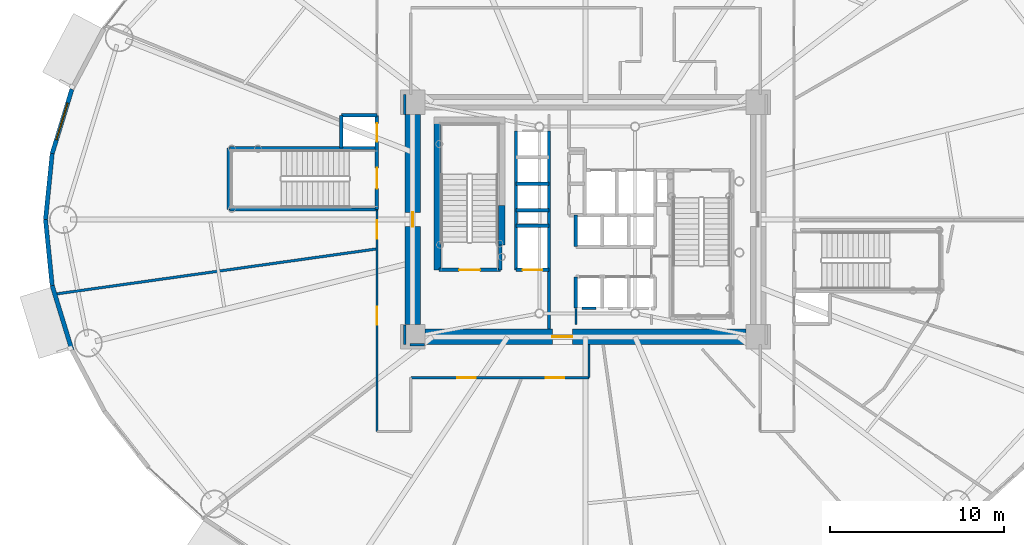
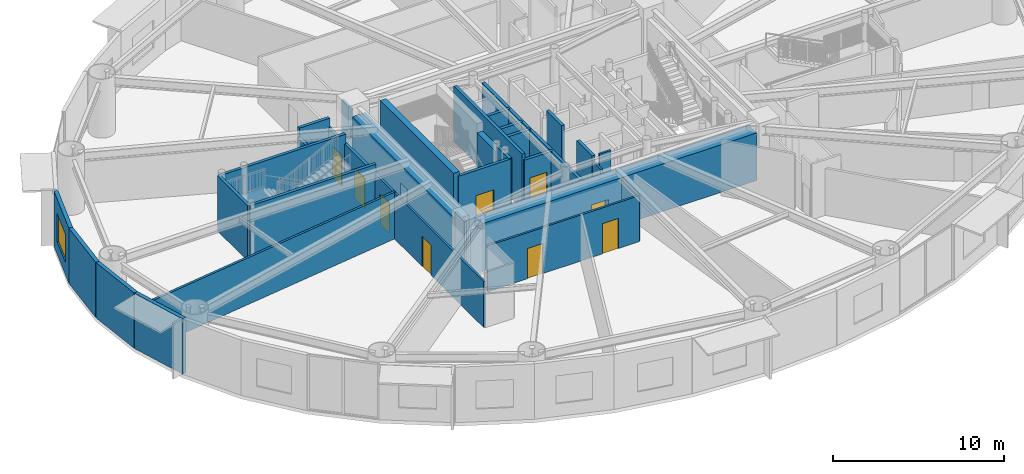
# One storey, part 13 of 29: 33 walls, 10 doors, 1 window, 11 openings.
"""IFC4 building model written with IfcOpenShell, lengths in metres."""

import ifcopenshell
import ifcopenshell.guid

model = None  # the IFC model being written
_history = None  # IfcOwnerHistory: only IFC2X3 demands one
_inside = {}  # id of a spatial element -> (the spatial element, [elements in it])
_under = {}  # id of a project, library or spatial element -> (it, [spatial elements below it])
_declared = {}  # id of a project -> (the project, [libraries it declares])
_typed = {}  # id of a type object -> (the type object, [elements of that type])
_made_of = {}  # id of a material, layer set ... -> (it, [elements and type objects made of it])


def new_model(schema):
    """Start an empty IFC model of exactly this schema.

    Asked for "IFC4X3", IfcOpenShell would pick the latest addendum, in which some entities
    have other attributes; the version numbers below select the first issue.
    IFC2X3 requires an IfcOwnerHistory on every rooted entity: one is made here for all.
    """
    global model, _history
    if schema == "IFC4X3":
        model = ifcopenshell.file(schema_version=(4, 3, 0, 0))
    else:
        model = ifcopenshell.file(schema=schema)
    _inside.clear()
    _under.clear()
    _declared.clear()
    _typed.clear()
    _made_of.clear()
    _history = None
    if model.schema == "IFC2X3":
        org = make("IfcOrganization", Name="unknown")
        user = make(
            "IfcPersonAndOrganization",
            ThePerson=make("IfcPerson", FamilyName="unknown"),
            TheOrganization=org,
        )
        app = make(
            "IfcApplication",
            ApplicationDeveloper=org,
            Version="unknown",
            ApplicationFullName="unknown",
            ApplicationIdentifier="unknown",
        )
        _history = make(
            "IfcOwnerHistory",
            OwningUser=user,
            OwningApplication=app,
            ChangeAction="ADDED",
            CreationDate=0,
        )
    return model


def make(cls, **values):
    """One entity of the class cls with the attributes given. An attribute that is None is left unset."""
    return model.create_entity(
        cls, **{name: value for name, value in values.items() if value is not None}
    )


def rooted(cls, **values):
    """An entity with a GlobalId (a new one), such as an element, a storey or a relation."""
    return make(cls, GlobalId=ifcopenshell.guid.new(), OwnerHistory=_history, **values)


def si_unit(unit_type, name, prefix=None):
    """IfcSIUnit, for example si_unit("LENGTHUNIT", "METRE", prefix="MILLI")."""
    return make("IfcSIUnit", UnitType=unit_type, Prefix=prefix, Name=name)


def assignment(units):
    """IfcUnitAssignment: the units of a project."""
    return None if units is None else make("IfcUnitAssignment", Units=units)


def point(xyz):
    """IfcCartesianPoint."""
    return None if xyz is None else make("IfcCartesianPoint", Coordinates=xyz)


def direction(xyz):
    """IfcDirection."""
    return None if xyz is None else make("IfcDirection", DirectionRatios=xyz)


def frame(location, z_axis=None, x_axis=None):
    """IfcAxis2Placement3D, a coordinate frame: its origin and axes. An axis left out is left unset."""
    return make(
        "IfcAxis2Placement3D",
        Location=point(location),
        Axis=direction(z_axis),
        RefDirection=direction(x_axis),
    )


def frame_2d(location, x_axis=None):
    """IfcAxis2Placement2D, a coordinate frame in the plane: its origin and x axis."""
    return make(
        "IfcAxis2Placement2D", Location=point(location), RefDirection=direction(x_axis)
    )


def origin():
    """The frame at (0, 0, 0) with its axes left unset."""
    return frame((0.0, 0.0, 0.0))


def origin_2d():
    """The frame at (0, 0) in the plane with its x axis left unset."""
    return frame_2d((0.0, 0.0))


def place(relative_to, where):
    """IfcLocalPlacement: puts the frame where relative to a parent placement (None: the world)."""
    return make(
        "IfcLocalPlacement", PlacementRelTo=relative_to, RelativePlacement=where
    )


def context(
    kind, dimensions, precision=None, world=None, true_north=None, identifier=None
):
    """IfcGeometricRepresentationContext, for example the 3D "Model" context."""
    return make(
        "IfcGeometricRepresentationContext",
        ContextIdentifier=identifier,
        ContextType=kind,
        CoordinateSpaceDimension=dimensions,
        Precision=precision,
        WorldCoordinateSystem=world,
        TrueNorth=true_north,
    )


def subcontext(parent, identifier, kind, view, scale=None):
    """IfcGeometricRepresentationSubContext, for example "Body" below "Model"."""
    return make(
        "IfcGeometricRepresentationSubContext",
        ContextIdentifier=identifier,
        ContextType=kind,
        ParentContext=parent,
        TargetScale=scale,
        TargetView=view,
    )


def project(units=None, contexts=None):
    """IfcProject with its units and contexts."""
    return rooted(
        "IfcProject",
        Name="project",
        RepresentationContexts=contexts,
        UnitsInContext=assignment(units),
    )


def spatial(cls, under=None, at=None, **own):
    """A site, building, storey or space (cls), placed at a placement, below another one or the project."""
    s = rooted(cls, ObjectPlacement=at, **own)
    if under is not None:
        _under.setdefault(under.id(), (under, []))[1].append(s)
    return s


def profile(cls, at=None, kind="AREA", **sizes):
    """A parametric profile (cls). Its sizes go by their IFC names, for example OverallWidth=200.0."""
    return make(cls, ProfileType=kind, Position=at, **sizes)


def rectangle(**sizes):
    """IfcRectangleProfileDef."""
    return profile("IfcRectangleProfileDef", **sizes)


def extrude(swept, where, along, depth):
    """IfcExtrudedAreaSolid: the profile swept, set in the frame where, extruded along a direction by depth."""
    return make(
        "IfcExtrudedAreaSolid",
        SweptArea=swept,
        Position=where,
        ExtrudedDirection=direction(along),
        Depth=depth,
    )


def shape(context_of_items, identifier, shape_type, items):
    """IfcShapeRepresentation: the items that make up one representation, for example the "Body"."""
    return make(
        "IfcShapeRepresentation",
        ContextOfItems=context_of_items,
        RepresentationIdentifier=identifier,
        RepresentationType=shape_type,
        Items=items,
    )


def source(mapping_origin, context_of_items, identifier, shape_type, items):
    """IfcRepresentationMap: a shape defined once, which mapped items show again and again."""
    return make(
        "IfcRepresentationMap",
        MappingOrigin=mapping_origin,
        MappedRepresentation=shape(context_of_items, identifier, shape_type, items),
    )


def transform(
    local_origin,
    x_axis=None,
    y_axis=None,
    z_axis=None,
    scale=None,
    scale2=None,
    scale3=None,
    uniform=True,
):
    """IfcCartesianTransformationOperator3D, or its non-uniform kind. x_axis, y_axis, z_axis: its Axis1, 2, 3."""
    if uniform:
        return make(
            "IfcCartesianTransformationOperator3D",
            Axis1=direction(x_axis),
            Axis2=direction(y_axis),
            LocalOrigin=point(local_origin),
            Scale=scale,
            Axis3=direction(z_axis),
        )
    return make(
        "IfcCartesianTransformationOperator3DnonUniform",
        Axis1=direction(x_axis),
        Axis2=direction(y_axis),
        LocalOrigin=point(local_origin),
        Scale=scale,
        Axis3=direction(z_axis),
        Scale2=scale2,
        Scale3=scale3,
    )


def mapped(mapping_source, mapping_target):
    """IfcMappedItem: shows the shape of a source again, moved by a transform."""
    return make(
        "IfcMappedItem", MappingSource=mapping_source, MappingTarget=mapping_target
    )


def material(Name=None, Category=None):
    """IfcMaterial."""
    return make("IfcMaterial", Name=Name, Category=Category)


def layer(
    of_material, thickness, ventilated=None, Name=None, Category=None, Priority=None
):
    """IfcMaterialLayer: one layer of a wall or slab, of a material (None: an air gap)."""
    return make(
        "IfcMaterialLayer",
        Material=of_material,
        LayerThickness=thickness,
        IsVentilated=ventilated,
        Name=Name,
        Category=Category,
        Priority=Priority,
    )


def layer_set(layers, Name=None):
    """IfcMaterialLayerSet."""
    return make("IfcMaterialLayerSet", MaterialLayers=layers, LayerSetName=Name)


def made_of(thing, what):
    """Note that an element or type object is made of a material, layer set ...; save() writes the relation."""
    if what is not None:
        _made_of.setdefault(what.id(), (what, []))[1].append(thing)
    return thing


def type_object(cls, material=None, **own):
    """A type object (cls), such as IfcWallType, which elements share."""
    return made_of(rooted(cls, **own), material)


def element(
    cls,
    number,
    at=None,
    inside=None,
    cuts=None,
    type_object=None,
    material=None,
    context=None,
    identifier="Body",
    shape_type=None,
    held_by="IfcProductDefinitionShape",
    body=None,
    shapes=None,
    **own,
):
    """One element of the class cls, such as IfcWall. Its Tag is "e" and its number.

    at: its placement. inside: the storey or other place that contains it. cuts: it is an
    opening in that element (IfcRelVoidsElement). A single representation is given by context,
    identifier, shape_type and body (its items); several are given by shapes. held_by: the class
    of the entity that holds the representations. save() writes the other relations.
    """
    e = rooted(cls, Tag="e%d" % number, ObjectPlacement=at, **own)
    if body is not None:
        shapes = [shape(context, identifier, shape_type, body)]
    if shapes is not None:
        e.Representation = make(held_by, Representations=shapes)
    if inside is not None:
        _inside.setdefault(inside.id(), (inside, []))[1].append(e)
    if cuts is not None:
        rooted(
            "IfcRelVoidsElement", RelatingBuildingElement=cuts, RelatedOpeningElement=e
        )
    if type_object is not None:
        _typed.setdefault(type_object.id(), (type_object, []))[1].append(e)
    return made_of(e, material)


def fill(opening, filler):
    """IfcRelFillsElement: the door or window that sits in an opening."""
    return rooted(
        "IfcRelFillsElement",
        RelatingOpeningElement=opening,
        RelatedBuildingElement=filler,
    )


def aggregate(whole, parts):
    """IfcRelAggregates: a whole, such as a stair, and the parts it consists of."""
    return rooted("IfcRelAggregates", RelatingObject=whole, RelatedObjects=parts)


def save(model, path):
    """Write the relations noted so far, then the file.

    IfcRelAggregates (storeys below a building ...), IfcRelContainedInSpatialStructure (elements
    in a storey), IfcRelDefinesByType, IfcRelAssociatesMaterial and IfcRelDeclares: one each for
    every whole, place, type object, material and project.
    """
    for whole, parts in _under.values():
        aggregate(whole, parts)
    for where, things in _inside.values():
        rooted(
            "IfcRelContainedInSpatialStructure",
            RelatedElements=things,
            RelatingStructure=where,
        )
    for kind, things in _typed.values():
        rooted("IfcRelDefinesByType", RelatedObjects=things, RelatingType=kind)
    for what, things in _made_of.values():
        rooted("IfcRelAssociatesMaterial", RelatedObjects=things, RelatingMaterial=what)
    for by, libraries in _declared.values():
        rooted("IfcRelDeclares", RelatingContext=by, RelatedDefinitions=libraries)
    model.write(path)


model = new_model("IFC4")

# Units and contexts
model_context = context("Model", 3, precision=1e-05, world=origin(), true_north=direction((0.0, 1.0)))
body_context = subcontext(model_context, "Body", "Model", "MODEL_VIEW")
ifc_project = project(units=[si_unit("LENGTHUNIT", "METRE"), si_unit("AREAUNIT", "SQUARE_METRE"), si_unit("VOLUMEUNIT", "CUBIC_METRE"), si_unit("PLANEANGLEUNIT", "RADIAN"), si_unit("MASSUNIT", "GRAM", prefix="KILO")], contexts=[model_context])

# Site, building, storey
site_placement = place(None, origin())
site = spatial("IfcSite", under=ifc_project, at=site_placement, CompositionType="ELEMENT")
building_placement = place(site_placement, origin())
building = spatial("IfcBuilding", under=site, at=building_placement, Name="Linh Dai School and Residence Tower", CompositionType="ELEMENT")
storey_placement = place(building_placement, frame((0.0, 0.0, 45.0)))
storey = spatial("IfcBuildingStorey", under=building, at=storey_placement, Name="L10", CompositionType="ELEMENT", Elevation=45.0)

# Wall, opening, window
ifc_material_1 = material(Name="Precast Concrete B45 (C35/45)", Category="concrete")
ifc_layer_1 = layer(ifc_material_1, 0.25)
ifc_layer_set_1 = layer_set([ifc_layer_1], Name="Precast Concrete B45 (C35/45)")
wall_type_1 = type_object("IfcWallType", Name="EW-TC-250", PredefinedType="SOLIDWALL", material=ifc_layer_set_1)
wall_1_placement = place(storey_placement, frame((5.306640625, 30.796875, 0.0), z_axis=(0.0, 0.0, 1.0), x_axis=(0.293111631758, 0.956078224482, 0.0)))
wall_1 = element("IfcWall", 1, at=wall_1_placement, inside=storey, type_object=wall_type_1, Name="L10 Terracotta Exterior Wall 19", PredefinedType="SOLIDWALL", context=body_context, shape_type="SweptSolid", body=[
    extrude(rectangle(XDim=3.874755859375, YDim=0.25, at=frame_2d((1.9375, 0.0))), origin(), (0.0, 0.0, 1.0), 3.949951171875),
])
opening_1_placement = place(wall_1_placement, frame((0.83740234375, 0.0, 0.89990234375)))
opening_1 = element("IfcOpeningElement", 2, at=opening_1_placement, cuts=wall_1, Name="Opening W4", PredefinedType="OPENING", context=body_context, shape_type="SweptSolid", body=[
    extrude(rectangle(XDim=2.199951171875, YDim=2.0, at=origin_2d()), frame((1.10009765625, 0.135009765625, 1.0), z_axis=(0.0, -1.0, 0.0), x_axis=(1.0, 0.0, 0.0)), (0.0, 0.0, 1.0), 0.27001953125),
])
ifc_material_2 = material(Name="Acoustic Laminated Low-E Glazing", Category="glass")
window_type = type_object("IfcWindowType", Name="WN-SCH-2200x2000", PartitioningType="TRIPLE_PANEL_VERTICAL", PredefinedType="WINDOW", material=ifc_material_2)
shared_shape_1 = source(origin(), body_context, "Body", "SweptSolid", [
    extrude(rectangle(XDim=2.199951171875, YDim=2.0, at=origin_2d()), frame((1.10009765625, 0.030029296875, 1.0), z_axis=(0.0, -1.0, 0.0), x_axis=(1.0, 0.0, 0.0)), (0.0, 0.0, 1.0), 0.06005859375),
])
window_placement = place(opening_1_placement, origin())
window = element("IfcWindow", 3, at=window_placement, inside=storey, type_object=window_type, Name="L10 Exterior Window 19.1", OverallHeight=2.0, OverallWidth=2.199951171875, PartitioningType="TRIPLE_PANEL_VERTICAL", PredefinedType="WINDOW", context=body_context, shape_type="MappedRepresentation", body=[
    mapped(shared_shape_1, transform((0.0, 0.0, 0.0), x_axis=(1.0, 0.0, 0.0), y_axis=(0.0, 1.0, 0.0), z_axis=(0.0, 0.0, 1.0), scale=1.0)),
])
fill(opening_1, window)

# Walls
for number, where, z_axis, x_axis, name in (
    (4, (4.925048828125, 27.0, 0.0), (0.0, 0.0, 1.0), (0.099997795174, 0.994987658698, 0.0), "L10 Terracotta Exterior Wall 20"),
    (5, (5.306640625, 23.203125, 0.0), (0.0, 0.0, 1.0), (-0.099997795174, 0.994987658698, 0.0), "L10 Terracotta Exterior Wall 21"),
):
    element("IfcWall", number, at=place(storey_placement, frame(where, z_axis=z_axis, x_axis=x_axis)), inside=storey, type_object=wall_type_1, Name=name, PredefinedType="SOLIDWALL", context=body_context, shape_type="SweptSolid", body=[
        extrude(rectangle(XDim=3.81591796875, YDim=0.25, at=frame_2d((1.907958984375, 0.0))), origin(), (0.0, 0.0, 1.0), 3.949951171875),
    ])
wall_2_placement = place(storey_placement, frame((6.4423828125, 19.49853515625, 0.0), z_axis=(0.0, 0.0, 1.0), x_axis=(-0.293111631758, 0.956078224482, 0.0)))
element("IfcWall", 6, at=wall_2_placement, inside=storey, type_object=wall_type_1, Name="L10 Terracotta Exterior Wall 22", PredefinedType="SOLIDWALL", context=body_context, shape_type="SweptSolid", body=[
    extrude(rectangle(XDim=3.874755859375, YDim=0.25, at=frame_2d((1.9375, 0.0))), origin(), (0.0, 0.0, 1.0), 3.949951171875),
])

# Wall, openings, doors
ifc_material_3 = material(Name="Autoclaved Aerated Concrete Blockwork", Category="masonry")
ifc_layer_2 = layer(ifc_material_3, 0.135009765625)
ifc_layer_set_2 = layer_set([ifc_layer_2], Name="Autoclaved Aerated Concrete Blockwork")
wall_type_2 = type_object("IfcWallType", Name="IW-CORR-135-EI90", PredefinedType="PARTITIONING", material=ifc_layer_set_2)
wall_3_placement = place(storey_placement, frame((24.0, 14.800048828125, 0.0), z_axis=(0.0, 0.0, 1.0), x_axis=(0.0, 1.0, 0.0)))
wall_3 = element("IfcWall", 7, at=wall_3_placement, inside=storey, type_object=wall_type_2, Name="L10 Interior Partition Wall 010", PredefinedType="PARTITIONING", context=body_context, shape_type="SweptSolid", body=[
    extrude(rectangle(XDim=12.780029296875, YDim=0.135009765625, at=frame_2d((6.39013671875, 0.0))), origin(), (0.0, 0.0, 1.0), 3.284912109375),
])
opening_2_placement = place(wall_3_placement, frame((11.101806640625, 0.0, 0.0)))
opening_2 = element("IfcOpeningElement", 8, at=opening_2_placement, cuts=wall_3, Name="Opening D04", PredefinedType="OPENING", context=body_context, shape_type="SweptSolid", body=[
    extrude(rectangle(XDim=1.050048828125, YDim=2.14990234375, at=origin_2d()), frame((0.52490234375, 0.07763671875, 1.074951171875), z_axis=(0.0, -1.0, 0.0), x_axis=(1.0, 0.0, 0.0)), (0.0, 0.0, 1.0), 0.155029296875),
])
opening_3_placement = place(wall_3_placement, frame((6.14404296875, 0.0, 0.0)))
opening_3 = element("IfcOpeningElement", 9, at=opening_3_placement, cuts=wall_3, Name="Opening D04", PredefinedType="OPENING", context=body_context, shape_type="SweptSolid", body=[
    extrude(rectangle(XDim=1.050048828125, YDim=2.14990234375, at=origin_2d()), frame((0.52490234375, 0.07763671875, 1.074951171875), z_axis=(0.0, -1.0, 0.0), x_axis=(1.0, 0.0, 0.0)), (0.0, 0.0, 1.0), 0.155029296875),
])
ifc_material_4 = material(Name="Acoustic Vision-Panel Timber Classroom Door", Category="wood")
door_type_1 = type_object("IfcDoorType", Name="DR-SCH-1050x2150-FD60S", OperationType="NOTDEFINED", PredefinedType="DOOR", material=ifc_material_4)
shared_shape_2 = source(origin(), body_context, "Body", "SweptSolid", [
    extrude(rectangle(XDim=1.050048828125, YDim=2.14990234375, at=origin_2d()), frame((0.52490234375, 0.02490234375, 1.074951171875), z_axis=(0.0, -1.0, 0.0), x_axis=(1.0, 0.0, 0.0)), (0.0, 0.0, 1.0), 0.050048828125),
])
door_1_placement = place(opening_2_placement, origin())
door_1 = element("IfcDoor", 10, at=door_1_placement, inside=storey, type_object=door_type_1, Name="L10 Secondary Classroom 5 Door", OperationType="SINGLE_SWING_RIGHT", OverallHeight=2.14990234375, OverallWidth=1.050048828125, PredefinedType="DOOR", context=body_context, shape_type="MappedRepresentation", body=[
    mapped(shared_shape_2, transform((0.0, 0.0, 0.0), x_axis=(1.0, 0.0, 0.0), y_axis=(0.0, 1.0, 0.0), z_axis=(0.0, 0.0, 1.0), scale=1.0)),
])
fill(opening_2, door_1)
door_2_placement = place(opening_3_placement, origin())
door_2 = element("IfcDoor", 11, at=door_2_placement, inside=storey, type_object=door_type_1, Name="L10 Secondary Classroom 6 Door", OperationType="SINGLE_SWING_LEFT", OverallHeight=2.14990234375, OverallWidth=1.050048828125, PredefinedType="DOOR", context=body_context, shape_type="MappedRepresentation", body=[
    mapped(shared_shape_2, transform((0.0, 0.0, 0.0), x_axis=(1.0, 0.0, 0.0), y_axis=(0.0, 1.0, 0.0), z_axis=(0.0, 0.0, 1.0), scale=1.0)),
])
fill(opening_3, door_2)

wall_4_placement = place(storey_placement, frame((25.949951171875, 17.89990234375, 0.0), z_axis=(0.0, 0.0, 1.0), x_axis=(1.0, 0.0, 0.0)))
wall_4 = element("IfcWall", 12, at=wall_4_placement, inside=storey, type_object=wall_type_2, Name="L10 Interior Partition Wall 016", PredefinedType="PARTITIONING", context=body_context, shape_type="SweptSolid", body=[
    extrude(rectangle(XDim=10.25, YDim=0.135009765625, at=frame_2d((5.125, 0.0))), origin(), (0.0, 0.0, 1.0), 3.284912109375),
])
opening_4_placement = place(wall_4_placement, frame((2.681640625, 0.0, 0.0)))
opening_4 = element("IfcOpeningElement", 13, at=opening_4_placement, cuts=wall_4, Name="Opening D04", PredefinedType="OPENING", context=body_context, shape_type="SweptSolid", body=[
    extrude(rectangle(XDim=1.050048828125, YDim=2.14990234375, at=origin_2d()), frame((0.52490234375, 0.07763671875, 1.074951171875), z_axis=(0.0, -1.0, 0.0), x_axis=(1.0, 0.0, 0.0)), (0.0, 0.0, 1.0), 0.155029296875),
])
opening_5_placement = place(wall_4_placement, frame((7.7666015625, 0.0, 0.0)))
opening_5 = element("IfcOpeningElement", 14, at=opening_5_placement, cuts=wall_4, Name="Opening D04", PredefinedType="OPENING", context=body_context, shape_type="SweptSolid", body=[
    extrude(rectangle(XDim=1.050048828125, YDim=2.14990234375, at=origin_2d()), frame((0.52490234375, 0.07763671875, 1.074951171875), z_axis=(0.0, -1.0, 0.0), x_axis=(1.0, 0.0, 0.0)), (0.0, 0.0, 1.0), 0.155029296875),
])
door_3_placement = place(opening_4_placement, origin())
door_3 = element("IfcDoor", 15, at=door_3_placement, inside=storey, type_object=door_type_1, Name="L10 Secondary Classroom 7 Door", OperationType="SINGLE_SWING_RIGHT", OverallHeight=2.14990234375, OverallWidth=1.050048828125, PredefinedType="DOOR", context=body_context, shape_type="MappedRepresentation", body=[
    mapped(shared_shape_2, transform((0.0, 0.0, 0.0), x_axis=(1.0, 0.0, 0.0), y_axis=(0.0, 1.0, 0.0), z_axis=(0.0, 0.0, 1.0), scale=1.0)),
])
fill(opening_4, door_3)
door_4_placement = place(opening_5_placement, origin())
door_4 = element("IfcDoor", 16, at=door_4_placement, inside=storey, type_object=door_type_1, Name="L10 Secondary Classroom 8 Door", OperationType="SINGLE_SWING_LEFT", OverallHeight=2.14990234375, OverallWidth=1.050048828125, PredefinedType="DOOR", context=body_context, shape_type="MappedRepresentation", body=[
    mapped(shared_shape_2, transform((0.0, 0.0, 0.0), x_axis=(1.0, 0.0, 0.0), y_axis=(0.0, 1.0, 0.0), z_axis=(0.0, 0.0, 1.0), scale=1.0)),
])
fill(opening_5, door_4)

# Walls
wall_5_placement = place(storey_placement, frame((36.199951171875, 17.89990234375, 0.0), z_axis=(0.0, 0.0, 1.0), x_axis=(0.0, 1.0, 0.0)))
element("IfcWall", 17, at=wall_5_placement, inside=storey, type_object=wall_type_2, Name="L10 Interior Partition Wall 040", PredefinedType="PARTITIONING", context=body_context, shape_type="SweptSolid", body=[
    extrude(rectangle(XDim=1.900146484375, YDim=0.135009765625, at=frame_2d((0.9501953125, 0.0))), origin(), (0.0, 0.0, 1.0), 3.284912109375),
])
wall_6_placement = place(storey_placement, frame((36.60009765625, 21.89990234375, 0.0), z_axis=(0.0, 0.0, 1.0), x_axis=(-1.0, 0.0, 0.0)))
element("IfcWall", 18, at=wall_6_placement, inside=storey, type_object=wall_type_2, Name="L10 Interior Partition Wall 075", PredefinedType="PARTITIONING", context=body_context, shape_type="SweptSolid", body=[
    extrude(rectangle(XDim=0.7900390625, YDim=0.135009765625, at=frame_2d((0.39501953125, 0.0))), origin(), (0.0, 0.0, 1.0), 3.949951171875),
])
wall_7_placement = place(storey_placement, frame((35.449951171875, 21.889892578125, 0.0), z_axis=(0.0, 0.0, 1.0), x_axis=(0.0, -1.0, 0.0)))
element("IfcWall", 19, at=wall_7_placement, inside=storey, type_object=wall_type_2, Name="L10 Interior Partition Wall 082", PredefinedType="PARTITIONING", context=body_context, shape_type="SweptSolid", body=[
    extrude(rectangle(XDim=0.929931640625, YDim=0.135009765625, at=frame_2d((0.46484375, 0.0))), origin(), (0.0, 0.0, 1.0), 3.534912109375),
])
for number, where, z_axis, x_axis, name in (
    (20, (25.60009765625, 34.199951171875, 0.0), (0.0, 0.0, 1.0), (0.0, -1.0, 0.0), "L10 Interior Partition Wall 100"),
    (21, (25.60009765625, 20.93994140625, 0.0), (0.0, 0.0, 1.0), (0.0, -1.0, 0.0), "L10 Interior Partition Wall 101"),
):
    element("IfcWall", number, at=place(storey_placement, frame(where, z_axis=z_axis, x_axis=x_axis)), inside=storey, type_object=wall_type_2, Name=name, PredefinedType="PARTITIONING", context=body_context, shape_type="SweptSolid", body=[
        extrude(rectangle(XDim=1.139892578125, YDim=0.135009765625, at=frame_2d((0.56982421875, 0.0))), origin(), (0.0, 0.0, 1.0), 3.949951171875),
    ])
wall_8_placement = place(storey_placement, frame((25.907470703125, 19.800048828125, 0.0), z_axis=(0.0, 0.0, 1.0), x_axis=(1.0, 0.0, 0.0)))
element("IfcWall", 22, at=wall_8_placement, inside=storey, type_object=wall_type_2, Name="L10 Interior Partition Wall 102", PredefinedType="PARTITIONING", context=body_context, shape_type="SweptSolid", body=[
    extrude(rectangle(XDim=0.83251953125, YDim=0.135009765625, at=frame_2d((0.416259765625, 0.0))), origin(), (0.0, 0.0, 1.0), 3.284912109375),
])
ifc_layer_3 = layer(ifc_material_3, 0.14990234375)
ifc_layer_set_3 = layer_set([ifc_layer_3], Name="Autoclaved Aerated Concrete Blockwork")
wall_type_3 = type_object("IfcWallType", Name="IW-SCH-150-EI60", PredefinedType="PARTITIONING", material=ifc_layer_set_3)
wall_9_placement = place(storey_placement, frame((5.45361328125, 22.70703125, 0.0), z_axis=(0.0, 0.0, 1.0), x_axis=(0.990268652703, 0.139168945795, 0.0)))
element("IfcWall", 23, at=wall_9_placement, inside=storey, type_object=wall_type_3, Name="L10 Interior Partition Wall 001", PredefinedType="PARTITIONING", context=body_context, shape_type="SweptSolid", body=[
    extrude(rectangle(XDim=18.728759765625, YDim=0.14990234375, at=frame_2d((9.3642578125, 0.0))), origin(), (0.0, 0.0, 1.0), 3.3349609375),
])
ifc_material_5 = material(Name="Concrete B45 (C35/45)", Category="concrete")
ifc_layer_4 = layer(ifc_material_5, 0.199951171875)
ifc_layer_set_4 = layer_set([ifc_layer_4], Name="Concrete B45 (C35/45)")
wall_type_4 = type_object("IfcWallType", Name="IW-SHAFT-200-EI120", PredefinedType="PARTITIONING", material=ifc_layer_set_4)
wall_10_placement = place(storey_placement, frame((15.47998046875, 27.580078125, 0.0), z_axis=(0.0, 0.0, 1.0), x_axis=(0.0, 1.0, 0.0)))
element("IfcWall", 24, at=wall_10_placement, inside=storey, type_object=wall_type_4, Name="L10 Interior Partition Wall 004", PredefinedType="PARTITIONING", context=body_context, shape_type="SweptSolid", body=[
    extrude(rectangle(XDim=3.5400390625, YDim=0.199951171875, at=frame_2d((1.77001953125, 0.0))), origin(), (0.0, 0.0, 1.0), 3.949951171875),
])
for number, where, z_axis, x_axis, name in (
    (25, (15.47998046875, 27.580078125, 0.0), (0.0, 0.0, 1.0), (1.0, 0.0, 0.0), "L10 Interior Partition Wall 005"),
    (26, (15.47998046875, 31.1201171875, 0.0), (0.0, 0.0, 1.0), (1.0, 0.0, 0.0), "L10 Interior Partition Wall 006"),
):
    element("IfcWall", number, at=place(storey_placement, frame(where, z_axis=z_axis, x_axis=x_axis)), inside=storey, type_object=wall_type_4, Name=name, PredefinedType="PARTITIONING", context=body_context, shape_type="SweptSolid", body=[
        extrude(rectangle(XDim=8.52001953125, YDim=0.199951171875, at=frame_2d((4.260009765625, 0.0))), origin(), (0.0, 0.0, 1.0), 3.949951171875),
    ])
wall_11_placement = place(storey_placement, frame((21.949951171875, 31.1201171875, 0.0), z_axis=(0.0, 0.0, 1.0), x_axis=(0.0, 1.0, 0.0)))
element("IfcWall", 27, at=wall_11_placement, inside=storey, type_object=wall_type_4, Name="L10 Interior Partition Wall 007", PredefinedType="PARTITIONING", context=body_context, shape_type="SweptSolid", body=[
    extrude(rectangle(XDim=1.8798828125, YDim=0.199951171875, at=frame_2d((0.93994140625, 0.0))), origin(), (0.0, 0.0, 1.0), 3.284912109375),
])
wall_12_placement = place(storey_placement, frame((21.949951171875, 33.0, 0.0), z_axis=(0.0, 0.0, 1.0), x_axis=(1.0, 0.0, 0.0)))
element("IfcWall", 28, at=wall_12_placement, inside=storey, type_object=wall_type_4, Name="L10 Interior Partition Wall 008", PredefinedType="PARTITIONING", context=body_context, shape_type="SweptSolid", body=[
    extrude(rectangle(XDim=2.050048828125, YDim=0.199951171875, at=frame_2d((1.02490234375, 0.0))), origin(), (0.0, 0.0, 1.0), 3.949951171875),
])

# Wall, openings, doors
wall_13_placement = place(storey_placement, frame((24.0, 27.590087890625, 0.0), z_axis=(0.0, 0.0, 1.0), x_axis=(0.0, 1.0, 0.0)))
wall_13 = element("IfcWall", 29, at=wall_13_placement, inside=storey, type_object=wall_type_4, Name="L10 Interior Partition Wall 012", PredefinedType="PARTITIONING", context=body_context, shape_type="SweptSolid", body=[
    extrude(rectangle(XDim=5.409912109375, YDim=0.199951171875, at=frame_2d((2.705078125, 0.0))), origin(), (0.0, 0.0, 1.0), 3.284912109375),
])
opening_6_placement = place(wall_13_placement, frame((1.18505859375, 0.0, 0.0)))
opening_6 = element("IfcOpeningElement", 30, at=opening_6_placement, cuts=wall_13, Name="Opening D01", PredefinedType="OPENING", context=body_context, shape_type="SweptSolid", body=[
    extrude(rectangle(XDim=1.199951171875, YDim=2.14990234375, at=origin_2d()), frame((0.60009765625, 0.10986328125, 1.074951171875), z_axis=(0.0, -1.0, 0.0), x_axis=(1.0, 0.0, 0.0)), (0.0, 0.0, 1.0), 0.219970703125),
])
opening_7_placement = place(wall_13_placement, frame((3.889892578125, 0.0, 0.0)))
opening_7 = element("IfcOpeningElement", 31, at=opening_7_placement, cuts=wall_13, Name="Opening LD-SL1", PredefinedType="OPENING", context=body_context, shape_type="SweptSolid", body=[
    extrude(rectangle(XDim=1.050048828125, YDim=2.14990234375, at=origin_2d()), frame((0.52490234375, 0.10986328125, 1.074951171875), z_axis=(0.0, -1.0, 0.0), x_axis=(1.0, 0.0, 0.0)), (0.0, 0.0, 1.0), 0.219970703125),
])
ifc_material_6 = material(Name="Fire-Rated Steel Door Leaf", Category="steel")
door_type_2 = type_object("IfcDoorType", Name="DR-STAIR-1200x2150-FD90S", OperationType="NOTDEFINED", PredefinedType="DOOR", material=ifc_material_6)
shared_shape_3 = source(origin(), body_context, "Body", "SweptSolid", [
    extrude(rectangle(XDim=1.199951171875, YDim=2.14990234375, at=origin_2d()), frame((0.60009765625, 0.02490234375, 1.074951171875), z_axis=(0.0, -1.0, 0.0), x_axis=(1.0, 0.0, 0.0)), (0.0, 0.0, 1.0), 0.050048828125),
])
door_5_placement = place(opening_6_placement, origin())
door_5 = element("IfcDoor", 32, at=door_5_placement, inside=storey, type_object=door_type_2, Name="L10 Exit Stair STS1 Door", OperationType="SINGLE_SWING_LEFT", OverallHeight=2.14990234375, OverallWidth=1.199951171875, PredefinedType="DOOR", context=body_context, shape_type="MappedRepresentation", body=[
    mapped(shared_shape_3, transform((0.0, 0.0, 0.0), x_axis=(1.0, 0.0, 0.0), y_axis=(0.0, 1.0, 0.0), z_axis=(0.0, 0.0, 1.0), scale=1.0)),
])
fill(opening_6, door_5)
ifc_material_7 = material(Name="Brushed Stainless Steel Lift Landing Door", Category="steel")
door_type_3 = type_object("IfcDoorType", Name="DR-LD-PASS-1050x2150", OperationType="DOUBLE_DOOR_SLIDING", PredefinedType="USERDEFINED", material=ifc_material_7)
shared_shape_4 = source(origin(), body_context, "Body", "SweptSolid", [
    extrude(rectangle(XDim=1.050048828125, YDim=2.14990234375, at=origin_2d()), frame((0.52490234375, 0.02490234375, 1.074951171875), z_axis=(0.0, -1.0, 0.0), x_axis=(1.0, 0.0, 0.0)), (0.0, 0.0, 1.0), 0.050048828125),
])
door_6_placement = place(opening_7_placement, origin())
door_6 = element("IfcDoor", 33, at=door_6_placement, inside=storey, type_object=door_type_3, Name="L10 Lift SL1 Sliding Landing Door", ObjectType="LANDING DOOR", OperationType="DOUBLE_DOOR_SLIDING", OverallHeight=2.14990234375, OverallWidth=1.050048828125, PredefinedType="USERDEFINED", context=body_context, shape_type="MappedRepresentation", body=[
    mapped(shared_shape_4, transform((0.0, 0.0, 0.0), x_axis=(1.0, 0.0, 0.0), y_axis=(0.0, 1.0, 0.0), z_axis=(0.0, 0.0, 1.0), scale=1.0)),
])
fill(opening_7, door_6)

# Wall, opening, door
wall_14_placement = place(storey_placement, frame((27.56005859375, 24.10009765625, 0.0), z_axis=(0.0, 0.0, 1.0), x_axis=(1.0, 0.0, 0.0)))
wall_14 = element("IfcWall", 34, at=wall_14_placement, inside=storey, type_object=wall_type_4, Name="L10 Interior Partition Wall 018", PredefinedType="PARTITIONING", context=body_context, shape_type="SweptSolid", body=[
    extrude(rectangle(XDim=3.5400390625, YDim=0.199951171875, at=frame_2d((1.77001953125, 0.0))), origin(), (0.0, 0.0, 1.0), 3.949951171875),
])
opening_8_placement = place(wall_14_placement, frame((1.169921875, 0.0, 0.0)))
opening_8 = element("IfcOpeningElement", 35, at=opening_8_placement, cuts=wall_14, Name="Opening D01", PredefinedType="OPENING", context=body_context, shape_type="SweptSolid", body=[
    extrude(rectangle(XDim=1.199951171875, YDim=2.14990234375, at=origin_2d()), frame((0.60009765625, 0.10986328125, 1.074951171875), z_axis=(0.0, -1.0, 0.0), x_axis=(1.0, 0.0, 0.0)), (0.0, 0.0, 1.0), 0.219970703125),
])
door_7_placement = place(opening_8_placement, origin())
door_7 = element("IfcDoor", 36, at=door_7_placement, inside=storey, type_object=door_type_2, Name="L10 Core Smokeproof Exit Stair ST1 Door", OperationType="SINGLE_SWING_LEFT", OverallHeight=2.14990234375, OverallWidth=1.199951171875, PredefinedType="DOOR", context=body_context, shape_type="MappedRepresentation", body=[
    mapped(shared_shape_3, transform((0.0, 0.0, 0.0), x_axis=(1.0, 0.0, 0.0), y_axis=(0.0, 1.0, 0.0), z_axis=(0.0, 0.0, 1.0), scale=1.0)),
])
fill(opening_8, door_7)

# Walls
wall_15_placement = place(storey_placement, frame((31.10009765625, 24.10009765625, 0.0), z_axis=(0.0, 0.0, 1.0), x_axis=(0.0, 1.0, 0.0)))
element("IfcWall", 37, at=wall_15_placement, inside=storey, type_object=wall_type_4, Name="L10 Interior Partition Wall 019", PredefinedType="PARTITIONING", context=body_context, shape_type="SweptSolid", body=[
    extrude(rectangle(XDim=1.43994140625, YDim=0.199951171875, at=frame_2d((0.719970703125, 0.0))), origin(), (0.0, 0.0, 1.0), 3.949951171875),
])
wall_16_placement = place(storey_placement, frame((32.0, 24.10009765625, 0.0), z_axis=(0.0, 0.0, 1.0), x_axis=(0.0, 1.0, 0.0)))
element("IfcWall", 38, at=wall_16_placement, inside=storey, type_object=wall_type_4, Name="L10 Interior Partition Wall 020", PredefinedType="PARTITIONING", context=body_context, shape_type="SweptSolid", body=[
    extrude(rectangle(XDim=8.0, YDim=0.199951171875, at=frame_2d((4.0, 0.0))), origin(), (0.0, 0.0, 1.0), 3.949951171875),
])

# Wall, opening, door
wall_17_placement = place(storey_placement, frame((32.0, 24.10009765625, 0.0), z_axis=(0.0, 0.0, 1.0), x_axis=(1.0, 0.0, 0.0)))
wall_17 = element("IfcWall", 39, at=wall_17_placement, inside=storey, type_object=wall_type_4, Name="L10 Interior Partition Wall 021", PredefinedType="PARTITIONING", context=body_context, shape_type="SweptSolid", body=[
    extrude(rectangle(XDim=1.89990234375, YDim=0.199951171875, at=frame_2d((0.949951171875, 0.0))), origin(), (0.0, 0.0, 1.0), 3.534912109375),
])
opening_9_placement = place(wall_17_placement, frame((0.375, 0.0, 0.0)))
opening_9 = element("IfcOpeningElement", 40, at=opening_9_placement, cuts=wall_17, Name="Opening LD-FF2", PredefinedType="OPENING", context=body_context, shape_type="SweptSolid", body=[
    extrude(rectangle(XDim=1.14990234375, YDim=2.14990234375, at=origin_2d()), frame((0.574951171875, 0.10986328125, 1.074951171875), z_axis=(0.0, -1.0, 0.0), x_axis=(1.0, 0.0, 0.0)), (0.0, 0.0, 1.0), 0.219970703125),
])
ifc_material_8 = material(Name="Fire-Rated Stainless Steel Firefighting Lift Door", Category="steel")
door_type_4 = type_object("IfcDoorType", Name="DR-LD-FF-1150x2150-FD120", OperationType="DOUBLE_DOOR_SLIDING", PredefinedType="USERDEFINED", material=ifc_material_8)
shared_shape_5 = source(origin(), body_context, "Body", "SweptSolid", [
    extrude(rectangle(XDim=1.14990234375, YDim=2.14990234375, at=origin_2d()), frame((0.574951171875, 0.02490234375, 1.074951171875), z_axis=(0.0, -1.0, 0.0), x_axis=(1.0, 0.0, 0.0)), (0.0, 0.0, 1.0), 0.050048828125),
])
door_8_placement = place(opening_9_placement, origin())
door_8 = element("IfcDoor", 41, at=door_8_placement, inside=storey, type_object=door_type_4, Name="L10 Lift FF2 Sliding Landing Door", ObjectType="LANDING DOOR", OperationType="DOUBLE_DOOR_SLIDING", OverallHeight=2.14990234375, OverallWidth=1.14990234375, PredefinedType="USERDEFINED", context=body_context, shape_type="MappedRepresentation", body=[
    mapped(shared_shape_5, transform((0.0, 0.0, 0.0), x_axis=(1.0, 0.0, 0.0), y_axis=(0.0, 1.0, 0.0), z_axis=(0.0, 0.0, 1.0), scale=1.0)),
])
fill(opening_9, door_8)

# Walls
for number, where, z_axis, x_axis, name in (
    (42, (32.0, 26.64990234375, 0.0), (0.0, 0.0, 1.0), (1.0, 0.0, 0.0), "L10 Interior Partition Wall 022"),
    (43, (32.0, 27.550048828125, 0.0), (0.0, 0.0, 1.0), (1.0, 0.0, 0.0), "L10 Interior Partition Wall 023"),
    (44, (32.0, 29.06005859375, 0.0), (0.0, 0.0, 1.0), (1.0, 0.0, 0.0), "L10 Interior Partition Wall 024"),
):
    element("IfcWall", number, at=place(storey_placement, frame(where, z_axis=z_axis, x_axis=x_axis)), inside=storey, type_object=wall_type_4, Name=name, PredefinedType="PARTITIONING", context=body_context, shape_type="SweptSolid", body=[
        extrude(rectangle(XDim=1.89990234375, YDim=0.199951171875, at=frame_2d((0.949951171875, 0.0))), origin(), (0.0, 0.0, 1.0), 3.534912109375),
    ])
wall_18_placement = place(storey_placement, frame((33.89990234375, 20.699951171875, 0.0), z_axis=(0.0, 0.0, 1.0), x_axis=(0.0, 1.0, 0.0)))
element("IfcWall", 45, at=wall_18_placement, inside=storey, type_object=wall_type_4, Name="L10 Interior Partition Wall 026", PredefinedType="PARTITIONING", context=body_context, shape_type="SweptSolid", body=[
    extrude(rectangle(XDim=11.400146484375, YDim=0.199951171875, at=frame_2d((5.7001953125, 0.0))), origin(), (0.0, 0.0, 1.0), 3.534912109375),
])
for number, where, z_axis, x_axis, name in (
    (46, (35.449951171875, 21.89990234375, 0.0), (0.0, 0.0, 1.0), (0.0, 1.0, 0.0), "L10 Interior Partition Wall 033"),
    (47, (35.449951171875, 25.449951171875, 0.0), (0.0, 0.0, 1.0), (0.0, 1.0, 0.0), "L10 Interior Partition Wall 035"),
):
    element("IfcWall", number, at=place(storey_placement, frame(where, z_axis=z_axis, x_axis=x_axis)), inside=storey, type_object=wall_type_4, Name=name, PredefinedType="PARTITIONING", context=body_context, shape_type="SweptSolid", body=[
        extrude(rectangle(XDim=1.800048828125, YDim=0.199951171875, at=frame_2d((0.89990234375, 0.0))), origin(), (0.0, 0.0, 1.0), 3.949951171875),
    ])
ifc_layer_5 = layer(ifc_material_5, 0.39990234375)
ifc_layer_set_5 = layer_set([ifc_layer_5], Name="Concrete B45 (C35/45)")
wall_type_5 = type_object("IfcWallType", Name="WL-CORE400", PredefinedType="SHEAR", material=ifc_layer_set_5)
wall_19_placement = place(storey_placement, frame((27.47998046875, 24.10009765625, 0.0), z_axis=(0.0, 0.0, 1.0), x_axis=(0.0, 1.0, 0.0)))
element("IfcWall", 48, at=wall_19_placement, inside=storey, type_object=wall_type_5, Name="L10 Core Stair ST1 Bearing Wall W", PredefinedType="SHEAR", context=body_context, shape_type="SweptSolid", body=[
    extrude(rectangle(XDim=8.599853515625, YDim=0.39990234375, at=frame_2d((4.2998046875, 0.0))), origin(), (0.0, 0.0, 1.0), 4.199951171875),
])
wall_20_placement = place(storey_placement, frame((31.179931640625, 25.550048828125, 0.0), z_axis=(0.0, 0.0, 1.0), x_axis=(0.0, 1.0, 0.0)))
element("IfcWall", 49, at=wall_20_placement, inside=storey, type_object=wall_type_5, Name="L10 Internal Core Shear Wall IW", PredefinedType="SHEAR", context=body_context, shape_type="SweptSolid", body=[
    extrude(rectangle(XDim=2.25, YDim=0.39990234375, at=frame_2d((1.125, 0.0))), origin(), (0.0, 0.0, 1.0), 3.550048828125),
])

# Wall, opening, door
ifc_material_9 = material(Name="Concrete B60 (C50/60)", Category="concrete")
ifc_layer_6 = layer(ifc_material_9, 0.89990234375)
ifc_layer_set_6 = layer_set([ifc_layer_6], Name="Concrete B60 (C50/60)")
wall_type_6 = type_object("IfcWallType", Name="WL-CORE900", PredefinedType="SHEAR", material=ifc_layer_set_6)
wall_21_placement = place(storey_placement, frame((45.25, 20.25, 0.0), z_axis=(0.0, 0.0, 1.0), x_axis=(-1.0, 0.0, 0.0)))
wall_21 = element("IfcWall", 50, at=wall_21_placement, inside=storey, type_object=wall_type_6, Name="L10 Central Core Shear Wall S", PredefinedType="SHEAR", context=body_context, shape_type="SweptSolid", body=[
    extrude(rectangle(XDim=18.5, YDim=0.89990234375, at=frame_2d((9.25, 0.0))), origin(), (0.0, 0.0, 1.0), 3.39990234375),
])
opening_10_placement = place(wall_21_placement, frame((10.0, 0.0, 0.0)))
opening_10 = element("IfcOpeningElement", 51, at=opening_10_placement, cuts=wall_21, Name="Opening D02", PredefinedType="OPENING", context=body_context, shape_type="SweptSolid", body=[
    extrude(rectangle(XDim=1.14990234375, YDim=2.14990234375, at=origin_2d()), frame((0.574951171875, 0.4599609375, 1.074951171875), z_axis=(0.0, -1.0, 0.0), x_axis=(1.0, 0.0, 0.0)), (0.0, 0.0, 1.0), 0.919921875),
])
ifc_material_10 = material(Name="Fire-Rated Glazed Steel Lobby Door", Category="steel")
door_type_5 = type_object("IfcDoorType", Name="DR-LOBBY-1150x2150-FD90S", OperationType="NOTDEFINED", PredefinedType="DOOR", material=ifc_material_10)
shared_shape_6 = source(origin(), body_context, "Body", "SweptSolid", [
    extrude(rectangle(XDim=1.14990234375, YDim=2.14990234375, at=origin_2d()), frame((0.574951171875, 0.02490234375, 1.074951171875), z_axis=(0.0, -1.0, 0.0), x_axis=(1.0, 0.0, 0.0)), (0.0, 0.0, 1.0), 0.050048828125),
])
door_9_placement = place(opening_10_placement, origin())
door_9 = element("IfcDoor", 52, at=door_9_placement, inside=storey, type_object=door_type_5, Name="L10 Passenger Foyer Access Door", OperationType="SINGLE_SWING_RIGHT", OverallHeight=2.14990234375, OverallWidth=1.14990234375, PredefinedType="DOOR", context=body_context, shape_type="MappedRepresentation", body=[
    mapped(shared_shape_6, transform((0.0, 0.0, 0.0), x_axis=(1.0, 0.0, 0.0), y_axis=(0.0, 1.0, 0.0), z_axis=(0.0, 0.0, 1.0), scale=1.0)),
])
fill(opening_10, door_9)

wall_22_placement = place(storey_placement, frame((26.050048828125, 20.949951171875, 0.0), z_axis=(0.0, 0.0, 1.0), x_axis=(0.0, 1.0, 0.0)))
wall_22 = element("IfcWall", 53, at=wall_22_placement, inside=storey, type_object=wall_type_6, Name="L10 Central Core Shear Wall W", PredefinedType="SHEAR", context=body_context, shape_type="SweptSolid", body=[
    extrude(rectangle(XDim=12.10009765625, YDim=0.89990234375, at=frame_2d((6.050048828125, 0.0))), origin(), (0.0, 0.0, 1.0), 3.39990234375),
])
opening_11_placement = place(wall_22_placement, frame((5.639892578125, 0.0, 0.0)))
opening_11 = element("IfcOpeningElement", 54, at=opening_11_placement, cuts=wall_22, Name="Opening D06", PredefinedType="OPENING", context=body_context, shape_type="SweptSolid", body=[
    extrude(rectangle(XDim=0.820068359375, YDim=2.10009765625, at=origin_2d()), frame((0.41015625, 0.4599609375, 1.050048828125), z_axis=(0.0, -1.0, 0.0), x_axis=(1.0, 0.0, 0.0)), (0.0, 0.0, 1.0), 0.919921875),
])
ifc_material_11 = material(Name="Moisture-Resistant Timber Bathroom Door", Category="wood")
door_type_6 = type_object("IfcDoorType", Name="DR-WET-820x2100", OperationType="NOTDEFINED", PredefinedType="DOOR", material=ifc_material_11)
shared_shape_7 = source(origin(), body_context, "Body", "SweptSolid", [
    extrude(rectangle(XDim=0.820068359375, YDim=2.10009765625, at=origin_2d()), frame((0.41015625, 0.02490234375, 1.050048828125), z_axis=(0.0, -1.0, 0.0), x_axis=(1.0, 0.0, 0.0)), (0.0, 0.0, 1.0), 0.050048828125),
])
door_10_placement = place(opening_11_placement, origin())
door_10 = element("IfcDoor", 55, at=door_10_placement, inside=storey, type_object=door_type_6, Name="L10 Firefighting Lobby Door", OperationType="SINGLE_SWING_RIGHT", OverallHeight=2.10009765625, OverallWidth=0.820068359375, PredefinedType="DOOR", context=body_context, shape_type="MappedRepresentation", body=[
    mapped(shared_shape_7, transform((0.0, 0.0, 0.0), x_axis=(1.0, 0.0, 0.0), y_axis=(0.0, 1.0, 0.0), z_axis=(0.0, 0.0, 1.0), scale=1.0)),
])
fill(opening_11, door_10)

save(model, "model.ifc")
